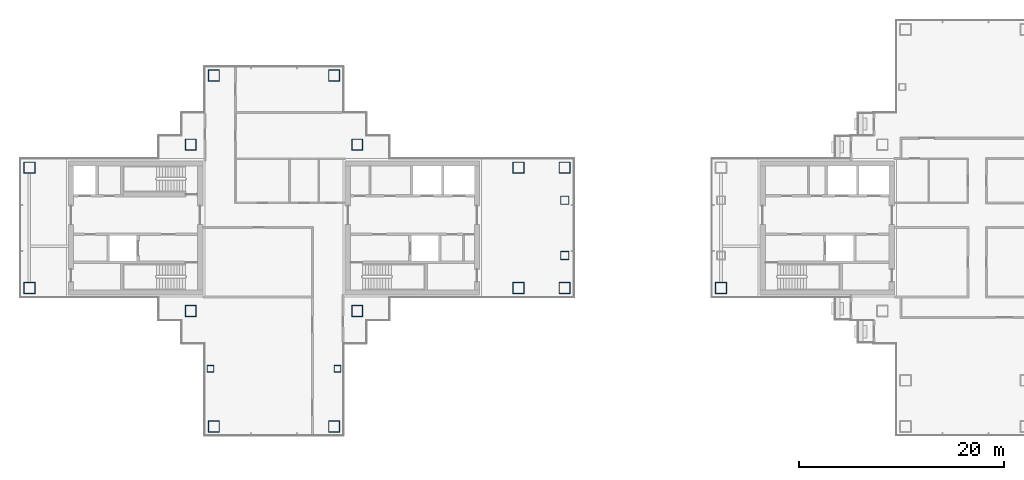
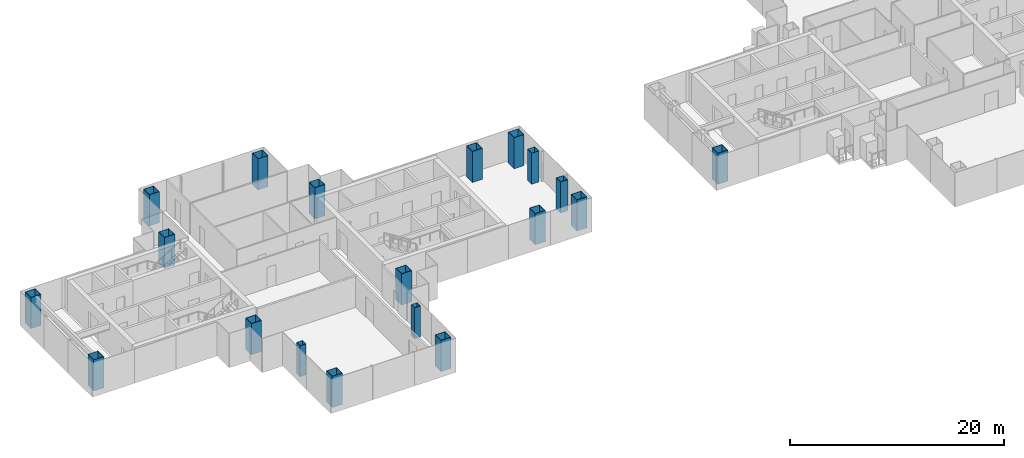
# One storey, part 1 of 16: 19 columns.
"""IFC4 building model written with IfcOpenShell, lengths in metres."""

from ifc_helpers import new_model, si_unit, direction, frame, origin, origin_2d, place, context, subcontext, project, spatial, hollow_rectangle, extrude, material, material_profile, profile_set, type_object, element, save


model = new_model("IFC4")

# Units and contexts
model_context = context("Model", 3, precision=1e-05, world=origin(), true_north=direction((0.0, 1.0)))
body_context = subcontext(model_context, "Body", "Model", "MODEL_VIEW")
ifc_project = project(units=[si_unit("LENGTHUNIT", "METRE"), si_unit("AREAUNIT", "SQUARE_METRE"), si_unit("VOLUMEUNIT", "CUBIC_METRE"), si_unit("PLANEANGLEUNIT", "RADIAN"), si_unit("MASSUNIT", "GRAM", prefix="KILO")], contexts=[model_context])

# Site, building, storey
site_placement = place(None, origin())
site = spatial("IfcSite", under=ifc_project, at=site_placement, CompositionType="ELEMENT")
building_placement = place(site_placement, origin())
building = spatial("IfcBuilding", under=site, at=building_placement, Name="Shamsa Quay Exchange Towers", CompositionType="ELEMENT")
storey_placement = place(building_placement, frame((0.0, 0.0, 138.89990234375)))
storey = spatial("IfcBuildingStorey", under=building, at=storey_placement, Name="L32", CompositionType="ELEMENT", Elevation=138.89990234375)

# Columns
ifc_material_1 = material(Name="Concrete-filled steel tube S355 / C80/95", Category="concrete")
ifc_material_profile_1 = material_profile(ifc_material_1, hollow_rectangle(XDim=1.10009765625, YDim=1.10009765625, WallThickness=0.0400390625, at=origin_2d()), Name="CFT 1100x1100x40")
ifc_profile_set_1 = profile_set([ifc_material_profile_1], Name="Concrete-filled steel tube S355 / C80/95")
column_type_1 = type_object("IfcColumnType", Name="Column CFT 1100x1100x40", PredefinedType="COLUMN", material=ifc_profile_set_1)
for number, where, name in (
    (1, (-25.625, 8.125, 0.0), "Mega column T1-CM01"),
    (2, (-25.625, -8.125, 0.0), "Mega column T1-CM02"),
    (3, (-41.875, 8.125, 0.0), "Mega column T1-CM03"),
    (4, (-41.875, -8.125, 0.0), "Mega column T1-CM04"),
    (5, (-9.875, -5.875, 0.0), "Mega column T1-CM05"),
    (6, (-5.375, -5.875, 0.0), "Mega column T1-CM06"),
    (7, (-9.875, 5.875, 0.0), "Mega column T1-CM07"),
    (8, (-5.375, 5.875, 0.0), "Mega column T1-CM08"),
    (9, (-57.625, -5.875, 0.0), "Mega column T1-CM09"),
    (10, (-57.625, 5.875, 0.0), "Mega column T1-CM11"),
    (11, (-39.625, 14.875, 0.0), "Mega column T1-CM13"),
    (12, (-27.875, 14.875, 0.0), "Mega column T1-CM16"),
    (13, (-39.625, -19.375, 0.0), "Mega column T1-CM20"),
    (14, (-27.875, -19.375, 0.0), "Mega column T1-CM23"),
    (15, (9.875, -5.875, 0.0), "Mega column T2-CM19"),
):
    element("IfcColumn", number, at=place(storey_placement, frame(where)), inside=storey, type_object=column_type_1, Name=name, PredefinedType="COLUMN", context=body_context, shape_type="SweptSolid", body=[
        extrude(hollow_rectangle(XDim=1.10009765625, YDim=1.10009765625, WallThickness=0.0400390625, at=origin_2d()), origin(), (0.0, 0.0, 1.0), 3.550048828125),
    ])
ifc_material_2 = material(Name="Concrete-filled steel tube S355 / C60/75", Category="concrete")
ifc_material_profile_2 = material_profile(ifc_material_2, hollow_rectangle(XDim=0.64990234375, YDim=0.64990234375, WallThickness=0.02001953125, at=origin_2d()), Name="CFT 650x650x20")
ifc_profile_set_2 = profile_set([ifc_material_profile_2], Name="Concrete-filled steel tube S355 / C60/75")
column_type_2 = type_object("IfcColumnType", Name="Column CFT 650x650x20", PredefinedType="COLUMN", material=ifc_profile_set_2)
for number, where, name in (
    (16, (-39.9375, -13.75, 0.0), "Perimeter column T1-CP19"),
    (17, (-27.5625, -13.75, 0.0), "Perimeter column T1-CP22"),
):
    element("IfcColumn", number, at=place(storey_placement, frame(where)), inside=storey, type_object=column_type_2, Name=name, PredefinedType="COLUMN", context=body_context, shape_type="SweptSolid", body=[
        extrude(hollow_rectangle(XDim=0.64990234375, YDim=0.64990234375, WallThickness=0.02001953125, at=origin_2d()), origin(), (0.0, 0.0, 1.0), 3.550048828125),
    ])
ifc_material_3 = material(Name="Concrete-filled steel tube S355 / C70/85", Category="concrete")
ifc_material_profile_3 = material_profile(ifc_material_3, hollow_rectangle(XDim=0.800048828125, YDim=0.800048828125, WallThickness=0.030029296875, at=origin_2d()), Name="CFT 800x800x30")
ifc_profile_set_3 = profile_set([ifc_material_profile_3], Name="Concrete-filled steel tube S355 / C70/85")
column_type_3 = type_object("IfcColumnType", Name="Landing column CFT 800x800x30", PredefinedType="COLUMN", material=ifc_profile_set_3)
for number, where, name in (
    (18, (-5.375, -2.699951171875, 0.0), "Landing column T1 S"),
    (19, (-5.375, 2.699951171875, 0.0), "Landing column T1 N"),
):
    element("IfcColumn", number, at=place(storey_placement, frame(where)), inside=storey, type_object=column_type_3, Name=name, PredefinedType="COLUMN", context=body_context, shape_type="SweptSolid", body=[
        extrude(hollow_rectangle(XDim=0.800048828125, YDim=0.800048828125, WallThickness=0.030029296875, at=origin_2d()), origin(), (0.0, 0.0, 1.0), 3.550048828125),
    ])

save(model, "model.ifc")
